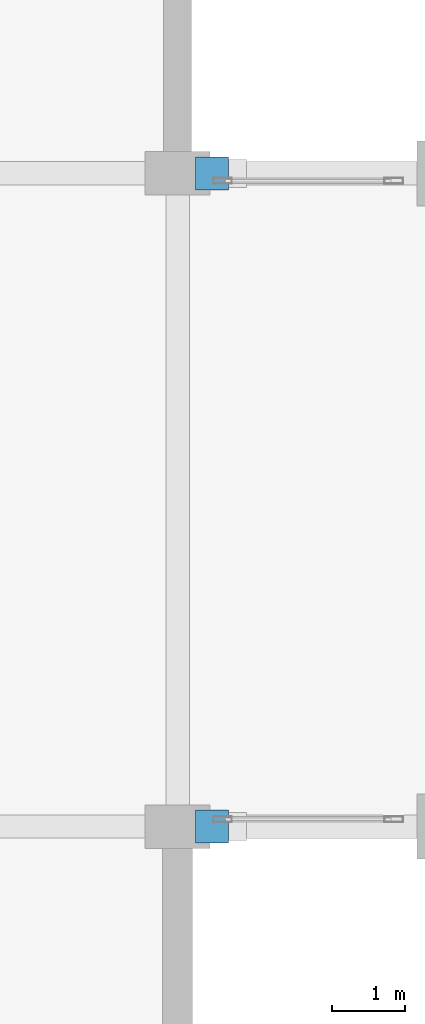
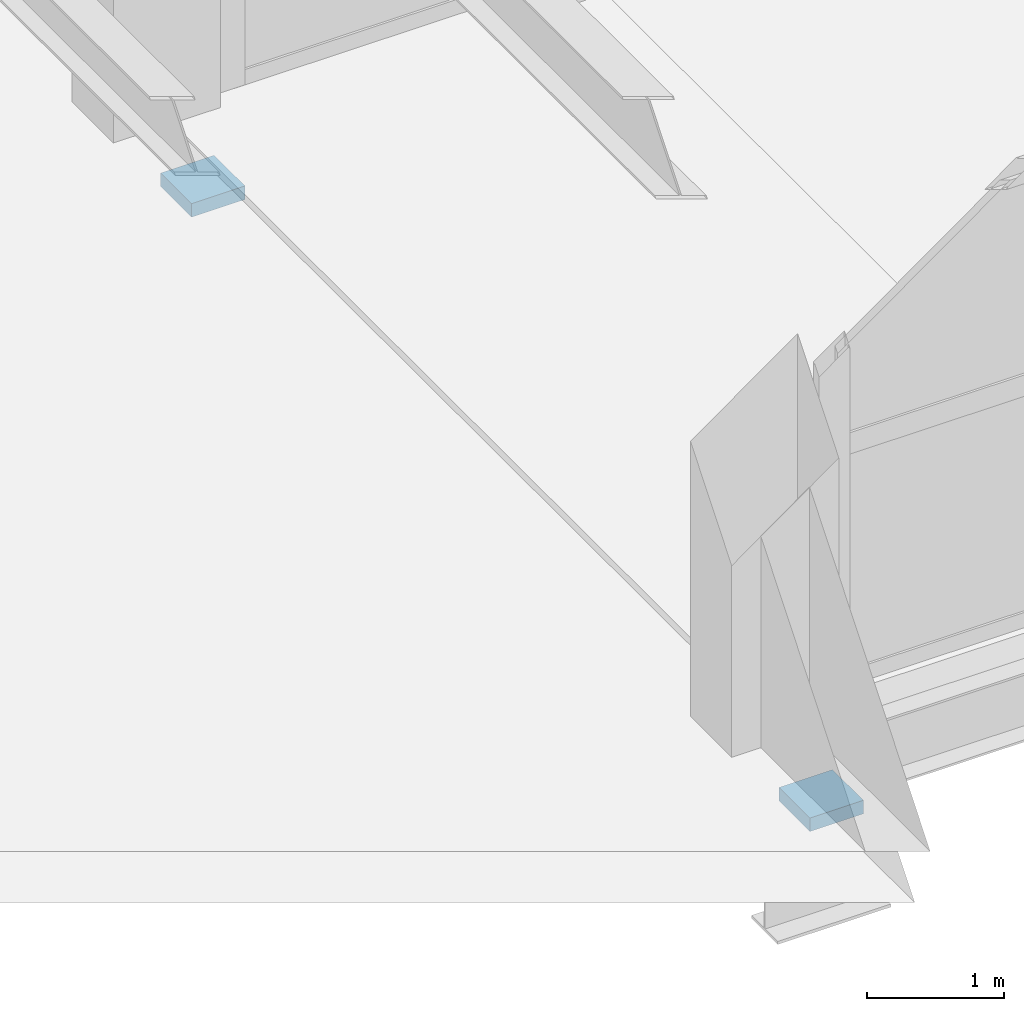
# One storey, part 80 of 96: 2 discrete accessories.
"""IFC4 building model written with IfcOpenShell, lengths in metres."""

from ifc_helpers import new_model, si_unit, direction, frame, origin, origin_2d, place, context, subcontext, project, spatial, rectangle, extrude, material, layer, layer_set, type_object, element, save


model = new_model("IFC4")

# Units and contexts
model_context = context("Model", 3, precision=1e-05, world=origin(), true_north=direction((0.0, 1.0)))
body_context = subcontext(model_context, "Body", "Model", "MODEL_VIEW")
ifc_project = project(units=[si_unit("LENGTHUNIT", "METRE"), si_unit("AREAUNIT", "SQUARE_METRE"), si_unit("VOLUMEUNIT", "CUBIC_METRE"), si_unit("PLANEANGLEUNIT", "RADIAN"), si_unit("MASSUNIT", "GRAM", prefix="KILO")], contexts=[model_context])

# Site, building, storey
site_placement = place(None, origin())
site = spatial("IfcSite", under=ifc_project, at=site_placement, CompositionType="ELEMENT")
building_placement = place(site_placement, origin())
building = spatial("IfcBuilding", under=site, at=building_placement, Name="Vaelkrest Opera House", CompositionType="ELEMENT")
storey_placement = place(building_placement, frame((0.0, 0.0, 5.39990234375)))
storey = spatial("IfcBuildingStorey", under=building, at=storey_placement, Name="L01", CompositionType="ELEMENT", Elevation=5.39990234375)

# Discrete accessories
ifc_material = material(Name="PTFE elastomeric bearing Steel A572 Gr50", Category="steel")
ifc_layer = layer(ifc_material, 0.1201171875)
ifc_layer_set = layer_set([ifc_layer], Name="PTFE elastomeric bearing Steel A572 Gr50")
discrete_accessory_type = type_object("IfcDiscreteAccessoryType", Name="SB01", PredefinedType="USERDEFINED", material=ifc_layer_set)
for number, where, z_axis, x_axis, name in (
    (1, (30.47509765625, -7.800048828125, -0.949951171875), (0.0, 0.0, 1.0), (1.0, 0.0, 0.0), "Unguided PTFE sliding bearing BR-E-L01 S"),
    (2, (30.47509765625, 1.199951171875, -0.949951171875), (0.0, 0.0, 1.0), (1.0, 0.0, 0.0), "Unguided PTFE sliding bearing BR-E-L01 N"),
):
    element("IfcDiscreteAccessory", number, at=place(storey_placement, frame(where, z_axis=z_axis, x_axis=x_axis)), inside=storey, type_object=discrete_accessory_type, Name=name, ObjectType="SLIDING BEARING", PredefinedType="USERDEFINED", context=body_context, shape_type="SweptSolid", body=[
        extrude(rectangle(XDim=0.449951171875, YDim=0.449951171875, at=origin_2d()), origin(), (0.0, 0.0, 1.0), 0.1201171875),
    ])

save(model, "model.ifc")
